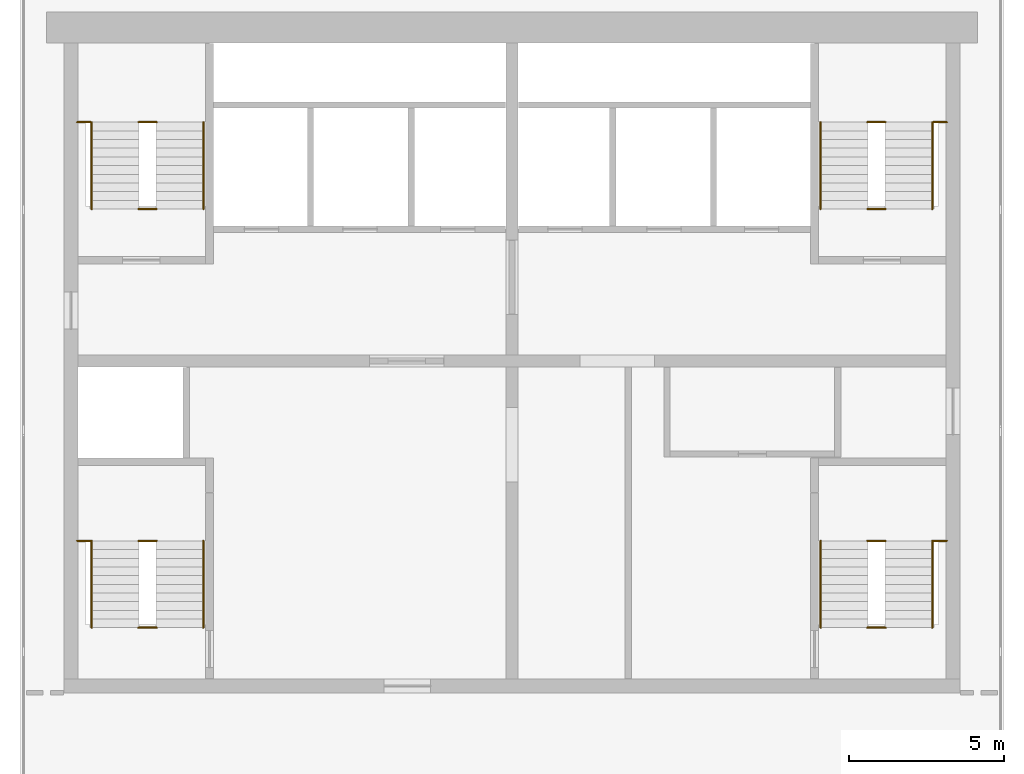
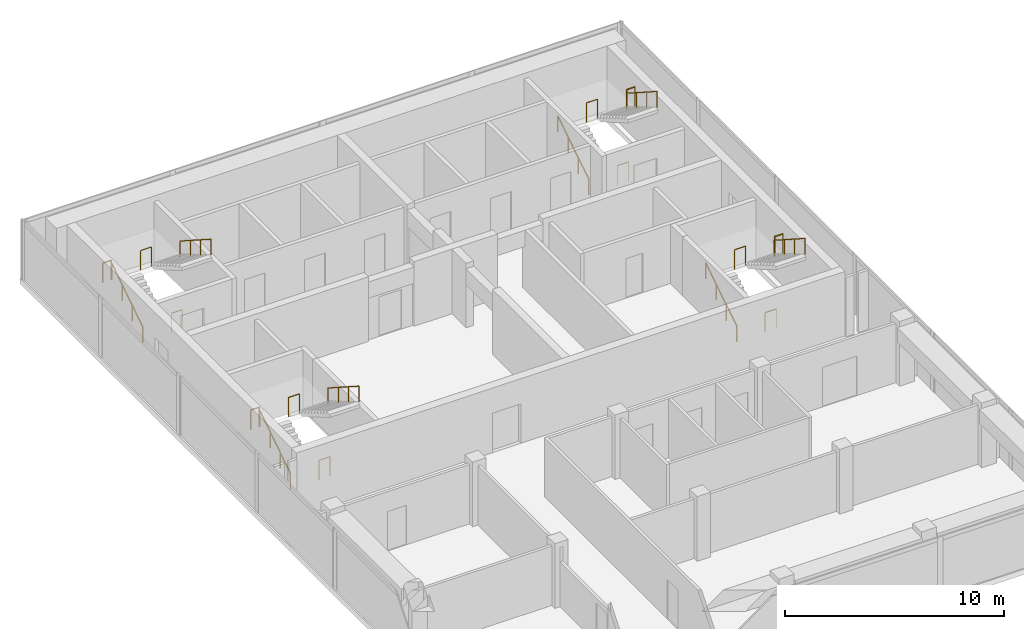
# One storey, part 5 of 5: 20 railings.
"""IFC4 building model written with IfcOpenShell, lengths in metres."""

from ifc_helpers import new_model, si_unit, direction, frame, origin, origin_2d, place, context, subcontext, project, spatial, circle, extrude, material, type_object, element, save


model = new_model("IFC4")

# Units and contexts
model_context = context("Model", 3, precision=1e-05, world=origin(), true_north=direction((0.0, 1.0)))
body_context = subcontext(model_context, "Body", "Model", "MODEL_VIEW")
ifc_project = project(units=[si_unit("LENGTHUNIT", "METRE"), si_unit("AREAUNIT", "SQUARE_METRE"), si_unit("VOLUMEUNIT", "CUBIC_METRE"), si_unit("PLANEANGLEUNIT", "RADIAN"), si_unit("MASSUNIT", "GRAM", prefix="KILO")], contexts=[model_context])

# Site, building, storey
site_placement = place(None, origin())
site = spatial("IfcSite", under=ifc_project, at=site_placement, CompositionType="ELEMENT")
building_placement = place(site_placement, origin())
building = spatial("IfcBuilding", under=site, at=building_placement, Name="Pilkhan Gate Tower", CompositionType="ELEMENT")
storey_placement = place(building_placement, frame((0.0, 0.0, 280.10009765625)))
storey = spatial("IfcBuildingStorey", under=building, at=storey_placement, Name="L73", CompositionType="ELEMENT", Elevation=280.10009765625)

# Railings
ifc_material_1 = material(Name="Black powder-coated steel tube", Category="steel")
railing_type_1 = type_object("IfcRailingType", Name="Stair handrail HR1", PredefinedType="HANDRAIL", material=ifc_material_1)
railing_1_placement = place(storey_placement, frame((84.949951171875, 73.89990234375, 0.0)))
element("IfcRailing", 1, at=railing_1_placement, inside=storey, type_object=railing_type_1, Name="Stair ST1 handrail L73", PredefinedType="HANDRAIL", context=body_context, shape_type="SweptSolid", body=[
    extrude(circle(Radius=0.02392578125, at=origin_2d()), frame((0.0, 0.0, 0.8759765625), z_axis=(0.0, 0.841209454229, 0.540709398952), x_axis=(-1.0, 0.0, 0.0)), (0.0, 0.0, 1.0), 3.32861328125),
    extrude(circle(Radius=0.02099609375, at=origin_2d()), origin(), (0.0, 0.0, 1.0), 0.851806640625),
    extrude(circle(Radius=0.02099609375, at=origin_2d()), frame((0.0, 0.933349609375, 0.599853515625)), (0.0, 0.0, 1.0), 0.851806640625),
    extrude(circle(Radius=0.02099609375, at=origin_2d()), frame((0.0, 1.86669921875, 1.199951171875)), (0.0, 0.0, 1.0), 0.851806640625),
    extrude(circle(Radius=0.02099609375, at=origin_2d()), frame((0.0, 2.800048828125, 1.7998046875)), (0.0, 0.0, 1.0), 0.851806640625),
])
railing_2_placement = place(storey_placement, frame((88.550048828125, 76.699951171875, 1.7998046875)))
element("IfcRailing", 2, at=railing_2_placement, inside=storey, type_object=railing_type_1, Name="Stair ST1 handrail L73", PredefinedType="HANDRAIL", context=body_context, shape_type="SweptSolid", body=[
    extrude(circle(Radius=0.02392578125, at=origin_2d()), frame((0.0, 0.0, 0.8759765625), z_axis=(0.0, -0.841176092368, 0.540761298198), x_axis=(1.0, 0.0, 0.0)), (0.0, 0.0, 1.0), 3.32861328125),
    extrude(circle(Radius=0.02099609375, at=origin_2d()), origin(), (0.0, 0.0, 1.0), 0.851806640625),
    extrude(circle(Radius=0.02099609375, at=origin_2d()), frame((0.0, -0.933349609375, 0.60009765625)), (0.0, 0.0, 1.0), 0.851806640625),
    extrude(circle(Radius=0.02099609375, at=origin_2d()), frame((0.0, -1.86669921875, 1.199951171875)), (0.0, 0.0, 1.0), 0.851806640625),
    extrude(circle(Radius=0.02099609375, at=origin_2d()), frame((0.0, -2.800048828125, 1.800048828125)), (0.0, 0.0, 1.0), 0.851806640625),
])
railing_3_placement = place(storey_placement, frame((61.449951171875, 73.89990234375, 0.0)))
element("IfcRailing", 3, at=railing_3_placement, inside=storey, type_object=railing_type_1, Name="Stair ST2 handrail L73", PredefinedType="HANDRAIL", context=body_context, shape_type="SweptSolid", body=[
    extrude(circle(Radius=0.02392578125, at=origin_2d()), frame((0.0, 0.0, 0.8759765625), z_axis=(0.0, 0.841209454229, 0.540709398952), x_axis=(-1.0, 0.0, 0.0)), (0.0, 0.0, 1.0), 3.32861328125),
    extrude(circle(Radius=0.02099609375, at=origin_2d()), origin(), (0.0, 0.0, 1.0), 0.851806640625),
    extrude(circle(Radius=0.02099609375, at=origin_2d()), frame((0.0, 0.933349609375, 0.599853515625)), (0.0, 0.0, 1.0), 0.851806640625),
    extrude(circle(Radius=0.02099609375, at=origin_2d()), frame((0.0, 1.86669921875, 1.199951171875)), (0.0, 0.0, 1.0), 0.851806640625),
    extrude(circle(Radius=0.02099609375, at=origin_2d()), frame((0.0, 2.800048828125, 1.7998046875)), (0.0, 0.0, 1.0), 0.851806640625),
])
railing_4_placement = place(storey_placement, frame((65.050048828125, 76.699951171875, 1.7998046875)))
element("IfcRailing", 4, at=railing_4_placement, inside=storey, type_object=railing_type_1, Name="Stair ST2 handrail L73", PredefinedType="HANDRAIL", context=body_context, shape_type="SweptSolid", body=[
    extrude(circle(Radius=0.02392578125, at=origin_2d()), frame((0.0, 0.0, 0.8759765625), z_axis=(0.0, -0.841176092368, 0.540761298198), x_axis=(1.0, 0.0, 0.0)), (0.0, 0.0, 1.0), 3.32861328125),
    extrude(circle(Radius=0.02099609375, at=origin_2d()), origin(), (0.0, 0.0, 1.0), 0.851806640625),
    extrude(circle(Radius=0.02099609375, at=origin_2d()), frame((0.0, -0.933349609375, 0.60009765625)), (0.0, 0.0, 1.0), 0.851806640625),
    extrude(circle(Radius=0.02099609375, at=origin_2d()), frame((0.0, -1.86669921875, 1.199951171875)), (0.0, 0.0, 1.0), 0.851806640625),
    extrude(circle(Radius=0.02099609375, at=origin_2d()), frame((0.0, -2.800048828125, 1.800048828125)), (0.0, 0.0, 1.0), 0.851806640625),
])
railing_5_placement = place(storey_placement, frame((61.449951171875, 87.39990234375, 0.0)))
element("IfcRailing", 5, at=railing_5_placement, inside=storey, type_object=railing_type_1, Name="Stair ST3 handrail L73", PredefinedType="HANDRAIL", context=body_context, shape_type="SweptSolid", body=[
    extrude(circle(Radius=0.02392578125, at=origin_2d()), frame((0.0, 0.0, 0.8759765625), z_axis=(0.0, 0.841209454229, 0.540709398952), x_axis=(-1.0, 0.0, 0.0)), (0.0, 0.0, 1.0), 3.32861328125),
    extrude(circle(Radius=0.02099609375, at=origin_2d()), origin(), (0.0, 0.0, 1.0), 0.851806640625),
    extrude(circle(Radius=0.02099609375, at=origin_2d()), frame((0.0, 0.933349609375, 0.599853515625)), (0.0, 0.0, 1.0), 0.851806640625),
    extrude(circle(Radius=0.02099609375, at=origin_2d()), frame((0.0, 1.86669921875, 1.199951171875)), (0.0, 0.0, 1.0), 0.851806640625),
    extrude(circle(Radius=0.02099609375, at=origin_2d()), frame((0.0, 2.800048828125, 1.7998046875)), (0.0, 0.0, 1.0), 0.851806640625),
])
railing_6_placement = place(storey_placement, frame((65.050048828125, 90.199951171875, 1.7998046875)))
element("IfcRailing", 6, at=railing_6_placement, inside=storey, type_object=railing_type_1, Name="Stair ST3 handrail L73", PredefinedType="HANDRAIL", context=body_context, shape_type="SweptSolid", body=[
    extrude(circle(Radius=0.02392578125, at=origin_2d()), frame((0.0, 0.0, 0.8759765625), z_axis=(0.0, -0.841176092368, 0.540761298198), x_axis=(1.0, 0.0, 0.0)), (0.0, 0.0, 1.0), 3.32861328125),
    extrude(circle(Radius=0.02099609375, at=origin_2d()), origin(), (0.0, 0.0, 1.0), 0.851806640625),
    extrude(circle(Radius=0.02099609375, at=origin_2d()), frame((0.0, -0.933349609375, 0.60009765625)), (0.0, 0.0, 1.0), 0.851806640625),
    extrude(circle(Radius=0.02099609375, at=origin_2d()), frame((0.0, -1.86669921875, 1.199951171875)), (0.0, 0.0, 1.0), 0.851806640625),
    extrude(circle(Radius=0.02099609375, at=origin_2d()), frame((0.0, -2.800048828125, 1.800048828125)), (0.0, 0.0, 1.0), 0.851806640625),
])
railing_7_placement = place(storey_placement, frame((84.949951171875, 87.39990234375, 0.0)))
element("IfcRailing", 7, at=railing_7_placement, inside=storey, type_object=railing_type_1, Name="Stair ST4 handrail L73", PredefinedType="HANDRAIL", context=body_context, shape_type="SweptSolid", body=[
    extrude(circle(Radius=0.02392578125, at=origin_2d()), frame((0.0, 0.0, 0.8759765625), z_axis=(0.0, 0.841209454229, 0.540709398952), x_axis=(-1.0, 0.0, 0.0)), (0.0, 0.0, 1.0), 3.32861328125),
    extrude(circle(Radius=0.02099609375, at=origin_2d()), origin(), (0.0, 0.0, 1.0), 0.851806640625),
    extrude(circle(Radius=0.02099609375, at=origin_2d()), frame((0.0, 0.933349609375, 0.599853515625)), (0.0, 0.0, 1.0), 0.851806640625),
    extrude(circle(Radius=0.02099609375, at=origin_2d()), frame((0.0, 1.86669921875, 1.199951171875)), (0.0, 0.0, 1.0), 0.851806640625),
    extrude(circle(Radius=0.02099609375, at=origin_2d()), frame((0.0, 2.800048828125, 1.7998046875)), (0.0, 0.0, 1.0), 0.851806640625),
])
railing_8_placement = place(storey_placement, frame((88.550048828125, 90.199951171875, 1.7998046875)))
element("IfcRailing", 8, at=railing_8_placement, inside=storey, type_object=railing_type_1, Name="Stair ST4 handrail L73", PredefinedType="HANDRAIL", context=body_context, shape_type="SweptSolid", body=[
    extrude(circle(Radius=0.02392578125, at=origin_2d()), frame((0.0, 0.0, 0.8759765625), z_axis=(0.0, -0.841176092368, 0.540761298198), x_axis=(1.0, 0.0, 0.0)), (0.0, 0.0, 1.0), 3.32861328125),
    extrude(circle(Radius=0.02099609375, at=origin_2d()), origin(), (0.0, 0.0, 1.0), 0.851806640625),
    extrude(circle(Radius=0.02099609375, at=origin_2d()), frame((0.0, -0.933349609375, 0.60009765625)), (0.0, 0.0, 1.0), 0.851806640625),
    extrude(circle(Radius=0.02099609375, at=origin_2d()), frame((0.0, -1.86669921875, 1.199951171875)), (0.0, 0.0, 1.0), 0.851806640625),
    extrude(circle(Radius=0.02099609375, at=origin_2d()), frame((0.0, -2.800048828125, 1.800048828125)), (0.0, 0.0, 1.0), 0.851806640625),
])
ifc_material_2 = material(Name="Black powder-coated steel balusters", Category="steel")
railing_type_2 = type_object("IfcRailingType", Name="Stair well guard G3", PredefinedType="GUARDRAIL", material=ifc_material_2)
railing_9_placement = place(storey_placement, frame((88.580078125, 76.699951171875, 1.7998046875)))
element("IfcRailing", 9, at=railing_9_placement, inside=storey, type_object=railing_type_2, Name="Stair ST1 well guard L73", PredefinedType="GUARDRAIL", context=body_context, shape_type="SweptSolid", body=[
    extrude(circle(Radius=0.02392578125, at=origin_2d()), frame((0.0, 0.0, 1.076171875), z_axis=(1.0, 0.0, 0.0), x_axis=(0.0, 1.0, 0.0)), (0.0, 0.0, 1.0), 0.43994140625),
    extrude(circle(Radius=0.02099609375, at=origin_2d()), origin(), (0.0, 0.0, 1.0), 1.052001953125),
    extrude(circle(Radius=0.02099609375, at=origin_2d()), frame((0.43994140625, 0.0, 0.0)), (0.0, 0.0, 1.0), 1.052001953125),
])
for number, where, name in (
    (10, (86.4599609375, 73.89990234375, 0.0), "Stair ST1 well guard L73"),
    (11, (86.4599609375, 76.699951171875, 1.7998046875), "Stair ST1 well guard L73"),
):
    element("IfcRailing", number, at=place(storey_placement, frame(where)), inside=storey, type_object=railing_type_2, Name=name, PredefinedType="GUARDRAIL", context=body_context, shape_type="SweptSolid", body=[
        extrude(circle(Radius=0.02392578125, at=origin_2d()), frame((0.0, 0.0, 1.076171875), z_axis=(1.0, 0.0, 0.0), x_axis=(0.0, 1.0, 0.0)), (0.0, 0.0, 1.0), 0.580078125),
        extrude(circle(Radius=0.02099609375, at=origin_2d()), origin(), (0.0, 0.0, 1.0), 1.052001953125),
        extrude(circle(Radius=0.02099609375, at=origin_2d()), frame((0.580078125, 0.0, 0.0)), (0.0, 0.0, 1.0), 1.052001953125),
    ])
railing_10_placement = place(storey_placement, frame((60.97998046875, 76.699951171875, 1.7998046875)))
element("IfcRailing", 12, at=railing_10_placement, inside=storey, type_object=railing_type_2, Name="Stair ST2 well guard L73", PredefinedType="GUARDRAIL", context=body_context, shape_type="SweptSolid", body=[
    extrude(circle(Radius=0.02392578125, at=origin_2d()), frame((0.0, 0.0, 1.076171875), z_axis=(1.0, 0.0, 0.0), x_axis=(0.0, 1.0, 0.0)), (0.0, 0.0, 1.0), 0.43994140625),
    extrude(circle(Radius=0.02099609375, at=origin_2d()), origin(), (0.0, 0.0, 1.0), 1.052001953125),
    extrude(circle(Radius=0.02099609375, at=origin_2d()), frame((0.43994140625, 0.0, 0.0)), (0.0, 0.0, 1.0), 1.052001953125),
])
for number, where, name in (
    (13, (62.9599609375, 73.89990234375, 0.0), "Stair ST2 well guard L73"),
    (14, (62.9599609375, 76.699951171875, 1.7998046875), "Stair ST2 well guard L73"),
):
    element("IfcRailing", number, at=place(storey_placement, frame(where)), inside=storey, type_object=railing_type_2, Name=name, PredefinedType="GUARDRAIL", context=body_context, shape_type="SweptSolid", body=[
        extrude(circle(Radius=0.02392578125, at=origin_2d()), frame((0.0, 0.0, 1.076171875), z_axis=(1.0, 0.0, 0.0), x_axis=(0.0, 1.0, 0.0)), (0.0, 0.0, 1.0), 0.580078125),
        extrude(circle(Radius=0.02099609375, at=origin_2d()), origin(), (0.0, 0.0, 1.0), 1.052001953125),
        extrude(circle(Radius=0.02099609375, at=origin_2d()), frame((0.580078125, 0.0, 0.0)), (0.0, 0.0, 1.0), 1.052001953125),
    ])
railing_11_placement = place(storey_placement, frame((60.97998046875, 90.199951171875, 1.7998046875)))
element("IfcRailing", 15, at=railing_11_placement, inside=storey, type_object=railing_type_2, Name="Stair ST3 well guard L73", PredefinedType="GUARDRAIL", context=body_context, shape_type="SweptSolid", body=[
    extrude(circle(Radius=0.02392578125, at=origin_2d()), frame((0.0, 0.0, 1.076171875), z_axis=(1.0, 0.0, 0.0), x_axis=(0.0, 1.0, 0.0)), (0.0, 0.0, 1.0), 0.43994140625),
    extrude(circle(Radius=0.02099609375, at=origin_2d()), origin(), (0.0, 0.0, 1.0), 1.052001953125),
    extrude(circle(Radius=0.02099609375, at=origin_2d()), frame((0.43994140625, 0.0, 0.0)), (0.0, 0.0, 1.0), 1.052001953125),
])
for number, where, name in (
    (16, (62.9599609375, 87.39990234375, 0.0), "Stair ST3 well guard L73"),
    (17, (62.9599609375, 90.199951171875, 1.7998046875), "Stair ST3 well guard L73"),
):
    element("IfcRailing", number, at=place(storey_placement, frame(where)), inside=storey, type_object=railing_type_2, Name=name, PredefinedType="GUARDRAIL", context=body_context, shape_type="SweptSolid", body=[
        extrude(circle(Radius=0.02392578125, at=origin_2d()), frame((0.0, 0.0, 1.076171875), z_axis=(1.0, 0.0, 0.0), x_axis=(0.0, 1.0, 0.0)), (0.0, 0.0, 1.0), 0.580078125),
        extrude(circle(Radius=0.02099609375, at=origin_2d()), origin(), (0.0, 0.0, 1.0), 1.052001953125),
        extrude(circle(Radius=0.02099609375, at=origin_2d()), frame((0.580078125, 0.0, 0.0)), (0.0, 0.0, 1.0), 1.052001953125),
    ])
railing_12_placement = place(storey_placement, frame((88.580078125, 90.199951171875, 1.7998046875)))
element("IfcRailing", 18, at=railing_12_placement, inside=storey, type_object=railing_type_2, Name="Stair ST4 well guard L73", PredefinedType="GUARDRAIL", context=body_context, shape_type="SweptSolid", body=[
    extrude(circle(Radius=0.02392578125, at=origin_2d()), frame((0.0, 0.0, 1.076171875), z_axis=(1.0, 0.0, 0.0), x_axis=(0.0, 1.0, 0.0)), (0.0, 0.0, 1.0), 0.43994140625),
    extrude(circle(Radius=0.02099609375, at=origin_2d()), origin(), (0.0, 0.0, 1.0), 1.052001953125),
    extrude(circle(Radius=0.02099609375, at=origin_2d()), frame((0.43994140625, 0.0, 0.0)), (0.0, 0.0, 1.0), 1.052001953125),
])
for number, where, name in (
    (19, (86.4599609375, 87.39990234375, 0.0), "Stair ST4 well guard L73"),
    (20, (86.4599609375, 90.199951171875, 1.7998046875), "Stair ST4 well guard L73"),
):
    element("IfcRailing", number, at=place(storey_placement, frame(where)), inside=storey, type_object=railing_type_2, Name=name, PredefinedType="GUARDRAIL", context=body_context, shape_type="SweptSolid", body=[
        extrude(circle(Radius=0.02392578125, at=origin_2d()), frame((0.0, 0.0, 1.076171875), z_axis=(1.0, 0.0, 0.0), x_axis=(0.0, 1.0, 0.0)), (0.0, 0.0, 1.0), 0.580078125),
        extrude(circle(Radius=0.02099609375, at=origin_2d()), origin(), (0.0, 0.0, 1.0), 1.052001953125),
        extrude(circle(Radius=0.02099609375, at=origin_2d()), frame((0.580078125, 0.0, 0.0)), (0.0, 0.0, 1.0), 1.052001953125),
    ])

save(model, "model.ifc")
